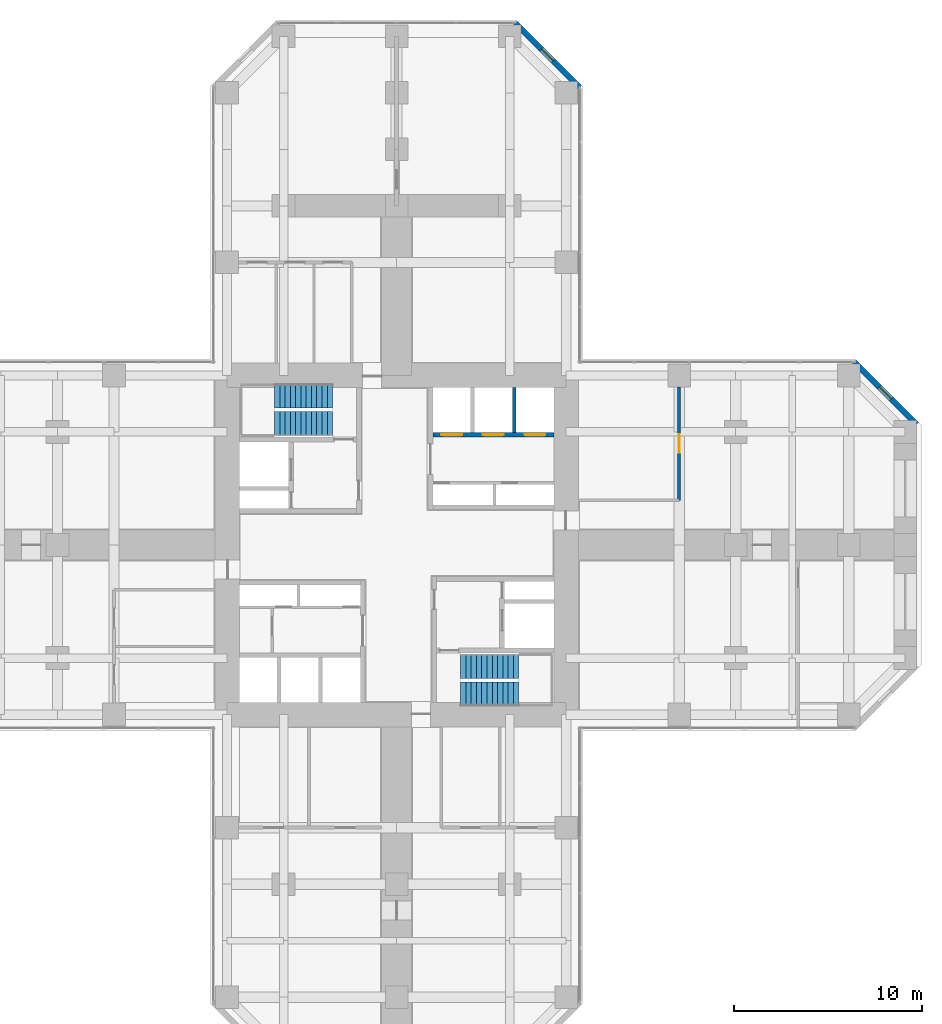
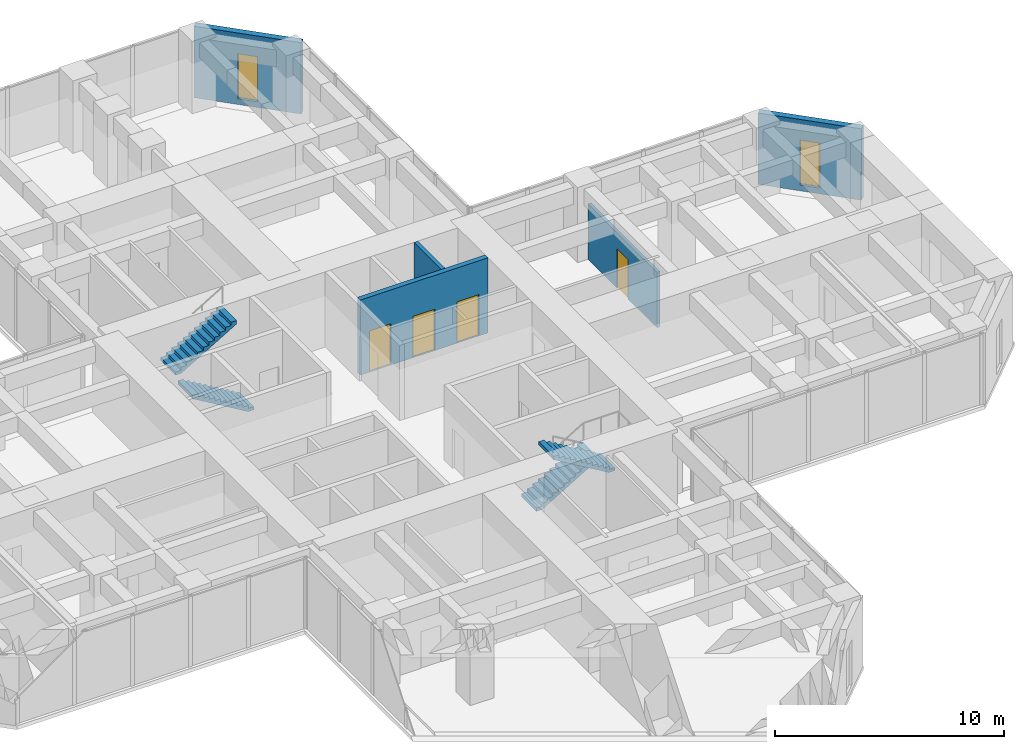
# One storey, part 11 of 12: 5 walls, 4 doors, 4 stair flights, 2 windows, 6 openings, 2 elements without a shape of their own.
"""IFC4 building model written with IfcOpenShell, lengths in metres."""

from ifc_helpers import new_model, si_unit, direction, frame, frame_2d, origin, place, context, subcontext, project, spatial, polyline, rectangle, hollow_rectangle, outline, extrude, material, layer, layer_set, constituent, constituent_set, type_object, element, fill, aggregate, save


model = new_model("IFC4")

# Units and contexts
model_context = context("Model", 3, precision=1e-05, world=origin(), true_north=direction((0.0, 1.0)))
body_context = subcontext(model_context, "Body", "Model", "MODEL_VIEW")
ifc_project = project(units=[si_unit("LENGTHUNIT", "METRE"), si_unit("AREAUNIT", "SQUARE_METRE"), si_unit("VOLUMEUNIT", "CUBIC_METRE"), si_unit("PLANEANGLEUNIT", "RADIAN"), si_unit("MASSUNIT", "GRAM", prefix="KILO")], contexts=[model_context])

# Site, building, storey
site_placement = place(None, origin())
site = spatial("IfcSite", under=ifc_project, at=site_placement, CompositionType="ELEMENT")
building_placement = place(site_placement, origin())
building = spatial("IfcBuilding", under=site, at=building_placement, Name="Torre Cruceta", CompositionType="ELEMENT")
storey_placement = place(building_placement, frame((0.0, 0.0, 39.5)))
storey = spatial("IfcBuildingStorey", under=building, at=storey_placement, Name="L09", CompositionType="ELEMENT", Elevation=39.5)

# Wall, openings, doors
ifc_material_1 = material(Name="Concrete G60 (fck 60 MPa)", Category="concrete")
ifc_layer_1 = layer(ifc_material_1, 0.25)
ifc_layer_set_1 = layer_set([ifc_layer_1], Name="Concrete G60 (fck 60 MPa)")
wall_type_1 = type_object("IfcWallType", Name="CORE INNER WALL 250 G60", PredefinedType="SHEAR", material=ifc_layer_set_1)
wall_1_placement = place(storey_placement, frame((1.925048828125, 5.85009765625, 0.0), z_axis=(0.0, 0.0, 1.0), x_axis=(1.0, 0.0, 0.0)))
wall_1 = element("IfcWall", 1, at=wall_1_placement, inside=storey, type_object=wall_type_1, Name="CW4 L09 NE-LV", PredefinedType="SHEAR", context=body_context, shape_type="SweptSolid", body=[
    extrude(rectangle(XDim=6.425048828125, YDim=0.25, at=frame_2d((3.21240234375, 0.0))), origin(), (0.0, 0.0, 1.0), 4.0),
])
opening_1_placement = place(wall_1_placement, frame((0.4541015625, 0.0, 0.0)))
opening_1 = element("IfcOpeningElement", 2, at=opening_1_placement, cuts=wall_1, Name="Opening LD1", PredefinedType="OPENING", context=body_context, shape_type="SweptSolid", body=[
    extrude(rectangle(XDim=1.10009765625, YDim=2.199951171875, at=frame_2d((0.550048828125, 1.10009765625))), frame((0.0, 0.135009765625, 0.0), z_axis=(0.0, -1.0, 0.0), x_axis=(1.0, 0.0, 0.0)), (0.0, 0.0, 1.0), 0.27001953125),
])
opening_2_placement = place(wall_1_placement, frame((2.66259765625, 0.0, 0.0)))
opening_2 = element("IfcOpeningElement", 3, at=opening_2_placement, cuts=wall_1, Name="Opening LD1", PredefinedType="OPENING", context=body_context, shape_type="SweptSolid", body=[
    extrude(rectangle(XDim=1.10009765625, YDim=2.199951171875, at=frame_2d((0.550048828125, 1.10009765625))), frame((0.0, 0.135009765625, 0.0), z_axis=(0.0, -1.0, 0.0), x_axis=(1.0, 0.0, 0.0)), (0.0, 0.0, 1.0), 0.27001953125),
])
opening_3_placement = place(wall_1_placement, frame((4.870849609375, 0.0, 0.0)))
opening_3 = element("IfcOpeningElement", 4, at=opening_3_placement, cuts=wall_1, Name="Opening LD1", PredefinedType="OPENING", context=body_context, shape_type="SweptSolid", body=[
    extrude(rectangle(XDim=1.10009765625, YDim=2.199951171875, at=frame_2d((0.550048828125, 1.10009765625))), frame((0.0, 0.135009765625, 0.0), z_axis=(0.0, -1.0, 0.0), x_axis=(1.0, 0.0, 0.0)), (0.0, 0.0, 1.0), 0.27001953125),
])
ifc_material_2 = material(Name="Stainless steel 1.4401", Category="steel")
door_type_1 = type_object("IfcDoorType", Name="LIFT LANDING DOOR 1100X2200", OperationType="DOUBLE_DOOR_SLIDING", PredefinedType="DOOR", material=ifc_material_2)
door_1_placement = place(opening_1_placement, origin())
door_1 = element("IfcDoor", 5, at=door_1_placement, inside=storey, type_object=door_type_1, Name="Lift landing door P1", OperationType="DOUBLE_DOOR_SLIDING", OverallHeight=2.199951171875, OverallWidth=1.10009765625, PredefinedType="DOOR", context=body_context, shape_type="SweptSolid", body=[
    extrude(rectangle(XDim=1.10009765625, YDim=2.199951171875, at=frame_2d((0.550048828125, 1.10009765625))), frame((0.0, 0.02490234375, 0.0), z_axis=(0.0, -1.0, 0.0), x_axis=(1.0, 0.0, 0.0)), (0.0, 0.0, 1.0), 0.050048828125),
])
fill(opening_1, door_1)
door_2_placement = place(opening_2_placement, origin())
door_2 = element("IfcDoor", 6, at=door_2_placement, inside=storey, type_object=door_type_1, Name="Lift landing door P2", OperationType="DOUBLE_DOOR_SLIDING", OverallHeight=2.199951171875, OverallWidth=1.10009765625, PredefinedType="DOOR", context=body_context, shape_type="SweptSolid", body=[
    extrude(rectangle(XDim=1.10009765625, YDim=2.199951171875, at=frame_2d((0.550048828125, 1.10009765625))), frame((0.0, 0.02490234375, 0.0), z_axis=(0.0, -1.0, 0.0), x_axis=(1.0, 0.0, 0.0)), (0.0, 0.0, 1.0), 0.050048828125),
])
fill(opening_2, door_2)
door_3_placement = place(opening_3_placement, origin())
door_3 = element("IfcDoor", 7, at=door_3_placement, inside=storey, type_object=door_type_1, Name="Lift landing door P3", OperationType="DOUBLE_DOOR_SLIDING", OverallHeight=2.199951171875, OverallWidth=1.10009765625, PredefinedType="DOOR", context=body_context, shape_type="SweptSolid", body=[
    extrude(rectangle(XDim=1.10009765625, YDim=2.199951171875, at=frame_2d((0.550048828125, 1.10009765625))), frame((0.0, 0.02490234375, 0.0), z_axis=(0.0, -1.0, 0.0), x_axis=(1.0, 0.0, 0.0)), (0.0, 0.0, 1.0), 0.050048828125),
])
fill(opening_3, door_3)

# Wall, opening, window
ifc_material_3 = material(Name="Concrete G30 (fck 30 MPa)", Category="concrete")
ifc_layer_2 = layer(ifc_material_3, 0.300048828125)
ifc_layer_set_2 = layer_set([ifc_layer_2], Name="Concrete G30 (fck 30 MPa)")
wall_type_2 = type_object("IfcWallType", Name="EXPOSED CONCRETE FACADE WALL 300", PredefinedType="SOLIDWALL", material=ifc_layer_set_2)
wall_2_placement = place(storey_placement, frame((27.60009765625, 6.418212890625, 0.0), z_axis=(0.0, 0.0, 1.0), x_axis=(-0.707106781187, 0.707106781187, 0.0)))
wall_2 = element("IfcWall", 8, at=wall_2_placement, inside=storey, type_object=wall_type_2, Name="EW1 facade wall L09 E chamfer 03", PredefinedType="SOLIDWALL", context=body_context, shape_type="SweptSolid", body=[
    extrude(rectangle(XDim=4.66943359375, YDim=0.300048828125, at=frame_2d((2.334716796875, 0.0))), origin(), (0.0, 0.0, 1.0), 3.800048828125),
])
opening_4_placement = place(wall_2_placement, frame((1.884765625, 0.0, 0.300048828125)))
opening_4 = element("IfcOpeningElement", 9, at=opening_4_placement, cuts=wall_2, Name="Opening WN5", PredefinedType="OPENING", context=body_context, shape_type="SweptSolid", body=[
    extrude(rectangle(XDim=0.89990234375, YDim=2.39990234375, at=frame_2d((0.449951171875, 1.199951171875))), frame((0.0, 0.159912109375, 0.0), z_axis=(0.0, -1.0, 0.0), x_axis=(1.0, 0.0, 0.0)), (0.0, 0.0, 1.0), 0.320068359375),
])
ifc_material_4 = material(Name="Aluminium window frame", Category="aluminium")
ifc_constituent_1 = constituent(ifc_material_4, Name="Frame")
ifc_material_5 = material(Name="Laminated insulating glass unit, low-iron clear", Category="glass")
ifc_constituent_2 = constituent(ifc_material_5, Name="Glazing")
ifc_constituent_set_1 = constituent_set(constituents=[ifc_constituent_1, ifc_constituent_2], Name="Aluminium window")
window_type = type_object("IfcWindowType", Name="CHAMFER SLOT WINDOW 900X2400", PartitioningType="SINGLE_PANEL", PredefinedType="WINDOW", material=ifc_constituent_set_1)
window_1_placement = place(opening_4_placement, origin())
window_1 = element("IfcWindow", 10, at=window_1_placement, inside=storey, type_object=window_type, Name="WN5 L09 E 1", OverallHeight=2.39990234375, OverallWidth=0.89990234375, PartitioningType="SINGLE_PANEL", PredefinedType="WINDOW", context=body_context, shape_type="SweptSolid", body=[
    extrude(hollow_rectangle(XDim=0.89990234375, YDim=2.39990234375, WallThickness=0.06005859375, at=frame_2d((0.449951171875, 1.199951171875))), frame((0.0, 0.030029296875, 0.0), z_axis=(0.0, -1.0, 0.0), x_axis=(1.0, 0.0, 0.0)), (0.0, 0.0, 1.0), 0.06005859375),
    extrude(rectangle(XDim=0.77880859375, YDim=2.27880859375, at=frame_2d((0.449951171875, 1.199951171875))), frame((0.0, 0.030029296875, 0.0), z_axis=(0.0, -1.0, 0.0), x_axis=(1.0, 0.0, 0.0)), (0.0, 0.0, 1.0), 0.06005859375),
])
fill(opening_4, window_1)

wall_3_placement = place(storey_placement, frame((9.719970703125, 24.29833984375, 0.0), z_axis=(0.0, 0.0, 1.0), x_axis=(-0.707106781187, 0.707106781187, 0.0)))
wall_3 = element("IfcWall", 11, at=wall_3_placement, inside=storey, type_object=wall_type_2, Name="EW1 facade wall L09 N chamfer 06", PredefinedType="SOLIDWALL", context=body_context, shape_type="SweptSolid", body=[
    extrude(rectangle(XDim=4.8388671875, YDim=0.300048828125, at=frame_2d((2.41943359375, 0.0))), origin(), (0.0, 0.0, 1.0), 3.800048828125),
])
opening_5_placement = place(wall_3_placement, frame((1.969482421875, 0.0, 0.300048828125)))
opening_5 = element("IfcOpeningElement", 12, at=opening_5_placement, cuts=wall_3, Name="Opening WN5", PredefinedType="OPENING", context=body_context, shape_type="SweptSolid", body=[
    extrude(rectangle(XDim=0.89990234375, YDim=2.39990234375, at=frame_2d((0.449951171875, 1.199951171875))), frame((0.0, 0.159912109375, 0.0), z_axis=(0.0, -1.0, 0.0), x_axis=(1.0, 0.0, 0.0)), (0.0, 0.0, 1.0), 0.320068359375),
])
window_2_placement = place(opening_5_placement, origin())
window_2 = element("IfcWindow", 13, at=window_2_placement, inside=storey, type_object=window_type, Name="WN5 L09 N 1", OverallHeight=2.39990234375, OverallWidth=0.89990234375, PartitioningType="SINGLE_PANEL", PredefinedType="WINDOW", context=body_context, shape_type="SweptSolid", body=[
    extrude(hollow_rectangle(XDim=0.89990234375, YDim=2.39990234375, WallThickness=0.06005859375, at=frame_2d((0.449951171875, 1.199951171875))), frame((0.0, 0.030029296875, 0.0), z_axis=(0.0, -1.0, 0.0), x_axis=(1.0, 0.0, 0.0)), (0.0, 0.0, 1.0), 0.06005859375),
    extrude(rectangle(XDim=0.77880859375, YDim=2.27880859375, at=frame_2d((0.449951171875, 1.199951171875))), frame((0.0, 0.030029296875, 0.0), z_axis=(0.0, -1.0, 0.0), x_axis=(1.0, 0.0, 0.0)), (0.0, 0.0, 1.0), 0.06005859375),
])
fill(opening_5, window_2)

# Wall
ifc_material_6 = material(Name="Concrete G35 (fck 35 MPa)", Category="concrete")
ifc_layer_3 = layer(ifc_material_6, 0.199951171875)
ifc_layer_set_3 = layer_set([ifc_layer_3], Name="Concrete G35 (fck 35 MPa)")
wall_type_3 = type_object("IfcWallType", Name="LIFT SHAFT WALL 200", PredefinedType="PARTITIONING", material=ifc_layer_set_3)
wall_4_placement = place(storey_placement, frame((6.24169921875, 5.97509765625, 0.0), z_axis=(0.0, 0.0, 1.0), x_axis=(0.0, 1.0, 0.0)))
element("IfcWall", 14, at=wall_4_placement, inside=storey, type_object=wall_type_3, Name="SW1 L09 NE-LS2", PredefinedType="PARTITIONING", context=body_context, shape_type="SweptSolid", body=[
    extrude(rectangle(XDim=2.375, YDim=0.199951171875, at=frame_2d((1.1875, 0.0))), origin(), (0.0, 0.0, 1.0), 4.0),
])

# Wall, opening, door
ifc_material_7 = material(Name="Plasterboard on steel studs", Category="steel")
ifc_layer_4 = layer(ifc_material_7, 0.14990234375)
ifc_layer_set_4 = layer_set([ifc_layer_4], Name="Plasterboard on steel studs")
wall_type_4 = type_object("IfcWallType", Name="PARTITION 150", PredefinedType="PARTITIONING", material=ifc_layer_set_4)
wall_5_placement = place(storey_placement, frame((15.0, 2.375, 0.0), z_axis=(0.0, 0.0, 1.0), x_axis=(0.0, 1.0, 0.0)))
wall_5 = element("IfcWall", 15, at=wall_5_placement, inside=storey, type_object=wall_type_4, Name="PT1 L09-E-BFL", PredefinedType="PARTITIONING", context=body_context, shape_type="SweptSolid", body=[
    extrude(rectangle(XDim=6.02490234375, YDim=0.14990234375, at=frame_2d((3.012451171875, 0.0))), origin(), (0.0, 0.0, 1.0), 2.949951171875),
])
opening_6_placement = place(wall_5_placement, frame((2.512451171875, 0.0, 0.0)))
opening_6 = element("IfcOpeningElement", 16, at=opening_6_placement, cuts=wall_5, Name="Opening D3", PredefinedType="OPENING", context=body_context, shape_type="SweptSolid", body=[
    extrude(rectangle(XDim=1.0, YDim=2.10009765625, at=frame_2d((0.5, 1.050048828125))), frame((0.0, 0.0849609375, 0.0), z_axis=(0.0, -1.0, 0.0), x_axis=(1.0, 0.0, 0.0)), (0.0, 0.0, 1.0), 0.169921875),
])
ifc_material_8 = material(Name="Steel DX51D", Category="steel")
ifc_constituent_3 = constituent(ifc_material_8, Name="Leaf and frame")
ifc_material_9 = material(Name="Polyester powder coating", Category="paint")
ifc_constituent_4 = constituent(ifc_material_9, Name="Finish")
ifc_constituent_set_2 = constituent_set(constituents=[ifc_constituent_3, ifc_constituent_4], Name="Steel fire door")
door_type_2 = type_object("IfcDoorType", Name="FIRE DOOR 1000X2100", OperationType="SINGLE_SWING_LEFT", PredefinedType="DOOR", material=ifc_constituent_set_2)
door_4_placement = place(opening_6_placement, origin())
door_4 = element("IfcDoor", 17, at=door_4_placement, inside=storey, type_object=door_type_2, Name="D3 L09-E-BFL-D1", OperationType="SINGLE_SWING_LEFT", OverallHeight=2.10009765625, OverallWidth=1.0, PredefinedType="DOOR", context=body_context, shape_type="SweptSolid", body=[
    extrude(rectangle(XDim=1.0, YDim=2.10009765625, at=frame_2d((0.5, 1.050048828125))), frame((0.0, 0.02490234375, 0.0), z_axis=(0.0, -1.0, 0.0), x_axis=(1.0, 0.0, 0.0)), (0.0, 0.0, 1.0), 0.050048828125),
])
fill(opening_6, door_4)

# Stair, stair flights
ifc_material_10 = material(Name="Concrete G30 (fck 30 MPa)", Category="concrete")
stair_type = type_object("IfcStairType", Name="STAIR HALF-TURN 1300", PredefinedType="HALF_TURN_STAIR", material=ifc_material_10)
stair_1_placement = place(storey_placement, origin())
stair_1 = element("IfcStair", 18, at=stair_1_placement, inside=storey, type_object=stair_type, Name="Stair ST1 L09", PredefinedType="HALF_TURN_STAIR")
ifc_material_11 = material(Name="Concrete G30 (fck 30 MPa)", Category="concrete")
stair_flight_type = type_object("IfcStairFlightType", Name="STAIR FLIGHT 1300", PredefinedType="STRAIGHT", material=ifc_material_11)
stair_flight_1_placement = place(storey_placement, frame((-3.39990234375, 6.425048828125, 0.0), z_axis=(0.0, 0.0, 1.0), x_axis=(-1.0, 0.0, 0.0)))
stair_flight_1 = element("IfcStairFlight", 19, at=stair_flight_1_placement, type_object=stair_flight_type, Name="ST1 flight 1", NumberOfRisers=12, NumberOfTreads=11, PredefinedType="STRAIGHT", RiserHeight=0.166666667, TreadLength=0.28, context=body_context, shape_type="SweptSolid", body=[
    extrude(outline(polyline([(0.0, 0.0), (0.0, 0.166748046875), (0.280029296875, 0.166748046875), (0.280029296875, 0.333251953125), (0.56005859375, 0.333251953125), (0.56005859375, 0.5), (0.840087890625, 0.5), (0.840087890625, 0.666748046875), (1.1201171875, 0.666748046875), (1.1201171875, 0.833251953125), (1.39990234375, 0.833251953125), (1.39990234375, 1.0), (1.679931640625, 1.0), (1.679931640625, 1.166748046875), (1.9599609375, 1.166748046875), (1.9599609375, 1.333251953125), (2.239990234375, 1.333251953125), (2.239990234375, 1.5), (2.52001953125, 1.5), (2.52001953125, 1.666748046875), (2.800048828125, 1.666748046875), (2.800048828125, 1.833251953125), (3.080078125, 1.833251953125), (3.080078125, 2.0), (3.080078125, 1.658935546875), (0.29296875, 0.0), (0.0, 0.0)])), frame((0.0, 0.64990234375, 0.0), z_axis=(0.0, -1.0, 0.0), x_axis=(1.0, 0.0, 0.0)), (0.0, 0.0, 1.0), 1.300048828125),
])
stair_flight_2_placement = place(storey_placement, frame((-6.47998046875, 7.925048828125, 2.0), z_axis=(0.0, 0.0, 1.0), x_axis=(1.0, 0.0, 0.0)))
stair_flight_2 = element("IfcStairFlight", 20, at=stair_flight_2_placement, type_object=stair_flight_type, Name="ST1 flight 2", NumberOfRisers=12, NumberOfTreads=11, PredefinedType="STRAIGHT", RiserHeight=0.166666667, TreadLength=0.28, context=body_context, shape_type="SweptSolid", body=[
    extrude(outline(polyline([(0.0, 0.0), (0.0, 0.166748046875), (0.280029296875, 0.166748046875), (0.280029296875, 0.333251953125), (0.56005859375, 0.333251953125), (0.56005859375, 0.5), (0.840087890625, 0.5), (0.840087890625, 0.666748046875), (1.1201171875, 0.666748046875), (1.1201171875, 0.833251953125), (1.39990234375, 0.833251953125), (1.39990234375, 1.0), (1.679931640625, 1.0), (1.679931640625, 1.166748046875), (1.9599609375, 1.166748046875), (1.9599609375, 1.333251953125), (2.239990234375, 1.333251953125), (2.239990234375, 1.5), (2.52001953125, 1.5), (2.52001953125, 1.666748046875), (2.800048828125, 1.666748046875), (2.800048828125, 1.833251953125), (3.080078125, 1.833251953125), (3.080078125, 2.0), (3.080078125, 1.658935546875), (0.29296875, 0.0), (0.0, 0.0)])), frame((0.0, 0.64990234375, 0.0), z_axis=(0.0, -1.0, 0.0), x_axis=(1.0, 0.0, 0.0)), (0.0, 0.0, 1.0), 1.300048828125),
])
aggregate(stair_1, [stair_flight_1, stair_flight_2])

stair_2_placement = place(storey_placement, origin())
stair_2 = element("IfcStair", 21, at=stair_2_placement, inside=storey, type_object=stair_type, Name="Stair ST2 L09", PredefinedType="HALF_TURN_STAIR")
stair_flight_3_placement = place(storey_placement, frame((3.39990234375, -6.425048828125, 0.0), z_axis=(0.0, 0.0, 1.0), x_axis=(1.0, 0.0, 0.0)))
stair_flight_3 = element("IfcStairFlight", 22, at=stair_flight_3_placement, type_object=stair_flight_type, Name="ST2 flight 1", NumberOfRisers=12, NumberOfTreads=11, PredefinedType="STRAIGHT", RiserHeight=0.166666667, TreadLength=0.28, context=body_context, shape_type="SweptSolid", body=[
    extrude(outline(polyline([(0.0, 0.0), (0.0, 0.166748046875), (0.280029296875, 0.166748046875), (0.280029296875, 0.333251953125), (0.56005859375, 0.333251953125), (0.56005859375, 0.5), (0.840087890625, 0.5), (0.840087890625, 0.666748046875), (1.1201171875, 0.666748046875), (1.1201171875, 0.833251953125), (1.39990234375, 0.833251953125), (1.39990234375, 1.0), (1.679931640625, 1.0), (1.679931640625, 1.166748046875), (1.9599609375, 1.166748046875), (1.9599609375, 1.333251953125), (2.239990234375, 1.333251953125), (2.239990234375, 1.5), (2.52001953125, 1.5), (2.52001953125, 1.666748046875), (2.800048828125, 1.666748046875), (2.800048828125, 1.833251953125), (3.080078125, 1.833251953125), (3.080078125, 2.0), (3.080078125, 1.658935546875), (0.29296875, 0.0), (0.0, 0.0)])), frame((0.0, 0.64990234375, 0.0), z_axis=(0.0, -1.0, 0.0), x_axis=(1.0, 0.0, 0.0)), (0.0, 0.0, 1.0), 1.300048828125),
])
stair_flight_4_placement = place(storey_placement, frame((6.47998046875, -7.925048828125, 2.0), z_axis=(0.0, 0.0, 1.0), x_axis=(-1.0, 0.0, 0.0)))
stair_flight_4 = element("IfcStairFlight", 23, at=stair_flight_4_placement, type_object=stair_flight_type, Name="ST2 flight 2", NumberOfRisers=12, NumberOfTreads=11, PredefinedType="STRAIGHT", RiserHeight=0.166666667, TreadLength=0.28, context=body_context, shape_type="SweptSolid", body=[
    extrude(outline(polyline([(0.0, 0.0), (0.0, 0.166748046875), (0.280029296875, 0.166748046875), (0.280029296875, 0.333251953125), (0.56005859375, 0.333251953125), (0.56005859375, 0.5), (0.840087890625, 0.5), (0.840087890625, 0.666748046875), (1.1201171875, 0.666748046875), (1.1201171875, 0.833251953125), (1.39990234375, 0.833251953125), (1.39990234375, 1.0), (1.679931640625, 1.0), (1.679931640625, 1.166748046875), (1.9599609375, 1.166748046875), (1.9599609375, 1.333251953125), (2.239990234375, 1.333251953125), (2.239990234375, 1.5), (2.52001953125, 1.5), (2.52001953125, 1.666748046875), (2.800048828125, 1.666748046875), (2.800048828125, 1.833251953125), (3.080078125, 1.833251953125), (3.080078125, 2.0), (3.080078125, 1.658935546875), (0.29296875, 0.0), (0.0, 0.0)])), frame((0.0, 0.64990234375, 0.0), z_axis=(0.0, -1.0, 0.0), x_axis=(1.0, 0.0, 0.0)), (0.0, 0.0, 1.0), 1.300048828125),
])
aggregate(stair_2, [stair_flight_3, stair_flight_4])

save(model, "model.ifc")
